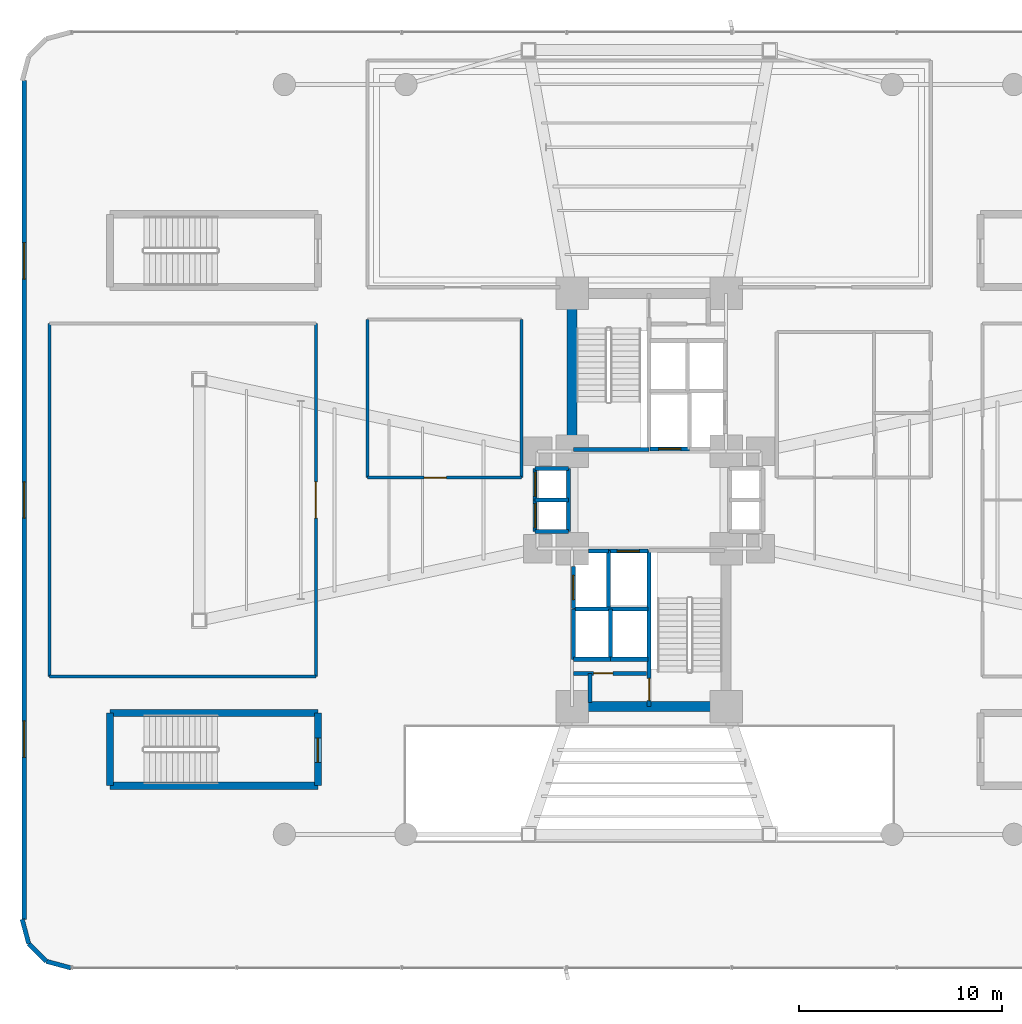
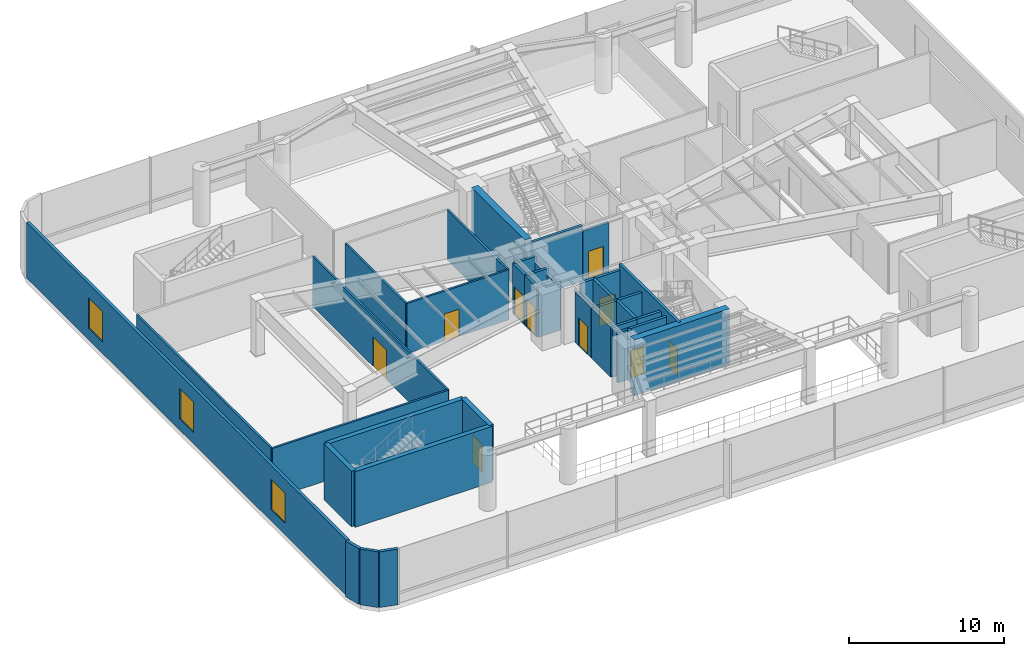
# One storey, part 15 of 22: 36 walls, 10 doors, 3 windows, 13 openings.
"""IFC4 building model written with IfcOpenShell, lengths in metres."""

from ifc_helpers import new_model, si_unit, direction, frame, frame_2d, origin, origin_2d, place, context, subcontext, project, spatial, rectangle, extrude, source, transform, mapped, material, layer, layer_set, type_object, element, fill, save


model = new_model("IFC4")

# Units and contexts
model_context = context("Model", 3, precision=1e-05, world=origin(), true_north=direction((0.0, 1.0)))
body_context = subcontext(model_context, "Body", "Model", "MODEL_VIEW")
ifc_project = project(units=[si_unit("LENGTHUNIT", "METRE"), si_unit("AREAUNIT", "SQUARE_METRE"), si_unit("VOLUMEUNIT", "CUBIC_METRE"), si_unit("PLANEANGLEUNIT", "RADIAN"), si_unit("MASSUNIT", "GRAM", prefix="KILO")], contexts=[model_context])

# Site, building, storey
site_placement = place(None, origin())
site = spatial("IfcSite", under=ifc_project, at=site_placement, CompositionType="ELEMENT")
building_placement = place(site_placement, origin())
building = spatial("IfcBuilding", under=site, at=building_placement, Name="Sahyath Konkavel Grand Hotel", CompositionType="ELEMENT")
storey_placement = place(building_placement, frame((0.0, 0.0, 9.300048828125)))
storey = spatial("IfcBuildingStorey", under=building, at=storey_placement, Name="L02", CompositionType="ELEMENT", Elevation=9.300048828125)

# Walls
ifc_material_1 = material(Name="Concrete C40/50", Category="concrete")
ifc_layer_1 = layer(ifc_material_1, 0.35009765625)
ifc_layer_set_1 = layer_set([ifc_layer_1], Name="Concrete C40/50")
wall_type_1 = type_object("IfcWallType", Name="CWALL-350", PredefinedType="SHEAR", material=ifc_layer_set_1)
for number, where, z_axis, x_axis, name in (
    (1, (-26.60009765625, -10.52001953125, 0.0), (0.0, 0.0, 1.0), (1.0, 0.0, 0.0), "L02 Partition ST-P3-N"),
    (2, (-26.60009765625, -14.10009765625, 0.0), (0.0, 0.0, 1.0), (1.0, 0.0, 0.0), "L02 Partition ST-P3-S"),
):
    element("IfcWall", number, at=place(storey_placement, frame(where, z_axis=z_axis, x_axis=x_axis)), inside=storey, type_object=wall_type_1, Name=name, PredefinedType="SHEAR", context=body_context, shape_type="SweptSolid", body=[
        extrude(rectangle(XDim=10.25, YDim=0.35009765625, at=frame_2d((5.125, 0.0))), origin(), (0.0, 0.0, 1.0), 4.39990234375),
    ])
wall_1_placement = place(storey_placement, frame((-26.60009765625, -14.10009765625, 0.0), z_axis=(0.0, 0.0, 1.0), x_axis=(0.0, 1.0, 0.0)))
element("IfcWall", 3, at=wall_1_placement, inside=storey, type_object=wall_type_1, Name="L02 Partition ST-P3-W", PredefinedType="SHEAR", context=body_context, shape_type="SweptSolid", body=[
    extrude(rectangle(XDim=3.580078125, YDim=0.35009765625, at=frame_2d((1.7900390625, 0.0))), origin(), (0.0, 0.0, 1.0), 4.39990234375),
])

# Wall, opening, door
wall_2_placement = place(storey_placement, frame((-16.35009765625, -14.10009765625, 0.0), z_axis=(0.0, 0.0, 1.0), x_axis=(0.0, 1.0, 0.0)))
wall_2 = element("IfcWall", 4, at=wall_2_placement, inside=storey, type_object=wall_type_1, Name="L02 Partition ST-P3-E", PredefinedType="SHEAR", context=body_context, shape_type="SweptSolid", body=[
    extrude(rectangle(XDim=3.580078125, YDim=0.35009765625, at=frame_2d((1.7900390625, 0.0))), origin(), (0.0, 0.0, 1.0), 4.39990234375),
])
opening_1_placement = place(wall_2_placement, frame((1.14990234375, 0.0, 0.0)))
opening_1 = element("IfcOpeningElement", 5, at=opening_1_placement, cuts=wall_2, Name="Opening D-F12A", PredefinedType="OPENING", context=body_context, shape_type="SweptSolid", body=[
    extrude(rectangle(XDim=1.199951171875, YDim=2.199951171875, at=frame_2d((0.60009765625, 1.10009765625))), frame((0.0, 0.18505859375, 0.0), z_axis=(0.0, -1.0, 0.0), x_axis=(1.0, 0.0, 0.0)), (0.0, 0.0, 1.0), 0.3701171875),
])
ifc_material_2 = material(Name="Steel E350 Fire Door", Category="steel")
door_type_1 = type_object("IfcDoorType", Name="DR-FD120-1200", OperationType="NOTDEFINED", PredefinedType="DOOR", material=ifc_material_2)
shared_shape_1 = source(origin(), body_context, "Body", "SweptSolid", [
    extrude(rectangle(XDim=1.199951171875, YDim=0.050048828125, at=origin_2d()), origin(), (0.0, 0.0, 1.0), 2.199951171875),
])
door_1_placement = place(opening_1_placement, frame((0.60009765625, 0.0, 0.0)))
door_1 = element("IfcDoor", 6, at=door_1_placement, inside=storey, type_object=door_type_1, Name="L02 ST-P3 Fire Door", OperationType="SINGLE_SWING_RIGHT", OverallHeight=2.199951171875, OverallWidth=1.199951171875, PredefinedType="DOOR", context=body_context, shape_type="MappedRepresentation", body=[
    mapped(shared_shape_1, transform((0.0, 0.0, 0.0), scale=1.0)),
])
fill(opening_1, door_1)

# Walls
ifc_material_3 = material(Name="Concrete C70/85", Category="concrete")
ifc_layer_2 = layer(ifc_material_3, 0.5)
ifc_layer_set_2 = layer_set([ifc_layer_2], Name="Concrete C70/85")
wall_type_2 = type_object("IfcWallType", Name="CWALL-500", PredefinedType="SHEAR", material=ifc_layer_set_2)
wall_3_placement = place(storey_placement, frame((-3.800048828125, 2.85009765625, 0.0), z_axis=(0.0, 0.0, 1.0), x_axis=(0.0, 1.0, 0.0)))
element("IfcWall", 7, at=wall_3_placement, inside=storey, type_object=wall_type_2, Name="L02 North Core Shear Wall W", PredefinedType="SHEAR", context=body_context, shape_type="SweptSolid", body=[
    extrude(rectangle(XDim=6.89990234375, YDim=0.5, at=frame_2d((3.449951171875, 0.0))), origin(), (0.0, 0.0, 1.0), 4.39990234375),
])
wall_4_placement = place(storey_placement, frame((-3.550048828125, -10.199951171875, 0.0), z_axis=(0.0, 0.0, 1.0), x_axis=(1.0, 0.0, 0.0)))
element("IfcWall", 8, at=wall_4_placement, inside=storey, type_object=wall_type_2, Name="L02 South Core Shear Wall S", PredefinedType="SHEAR", context=body_context, shape_type="SweptSolid", body=[
    extrude(rectangle(XDim=7.10009765625, YDim=0.5, at=frame_2d((3.550048828125, 0.0))), origin(), (0.0, 0.0, 1.0), 4.39990234375),
])
ifc_material_4 = material(Name="Warm Buff Sandstone Insulated Concrete C40/50", Category="masonry")
ifc_layer_3 = layer(ifc_material_4, 0.219970703125)
ifc_layer_set_3 = layer_set([ifc_layer_3], Name="Warm Buff Sandstone Insulated Concrete C40/50")
wall_type_3 = type_object("IfcWallType", Name="WLL-BALC-THRESH", PredefinedType="STANDARD", material=ifc_layer_set_3)
wall_5_placement = place(storey_placement, frame((-30.94091796875, -20.69189453125, 0.0), z_axis=(0.0, 0.0, 1.0), x_axis=(0.25877537102, -0.965937527666, 0.0)))
element("IfcWall", 9, at=wall_5_placement, inside=storey, type_object=wall_type_3, Name="L02 Rounded Podium Corner Sandstone Pier 12", PredefinedType="STANDARD", context=body_context, shape_type="SweptSolid", body=[
    extrude(rectangle(XDim=1.242431640625, YDim=0.219970703125, at=frame_2d((0.62109375, 0.0))), origin(), (0.0, 0.0, 1.0), 4.39990234375),
])
for number, where, z_axis, x_axis, name in (
    (10, (-30.619384765625, -21.89208984375, 0.0), (0.0, 0.0, 1.0), (0.707106781187, -0.707106781187, 0.0), "L02 Rounded Podium Corner Sandstone Pier 13"),
    (11, (-29.740966796875, -22.7705078125, 0.0), (0.0, 0.0, 1.0), (0.965924366126, -0.258824494443, 0.0), "L02 Rounded Podium Corner Sandstone Pier 14"),
):
    element("IfcWall", number, at=place(storey_placement, frame(where, z_axis=z_axis, x_axis=x_axis)), inside=storey, type_object=wall_type_3, Name=name, PredefinedType="STANDARD", context=body_context, shape_type="SweptSolid", body=[
        extrude(rectangle(XDim=1.2421875, YDim=0.219970703125, at=frame_2d((0.62109375, 0.0))), origin(), (0.0, 0.0, 1.0), 4.39990234375),
    ])

# Wall, openings, windows
wall_6_placement = place(storey_placement, frame((-30.8310546875, 20.69189453125, 0.0), z_axis=(0.0, 0.0, 1.0), x_axis=(0.0, -1.0, 0.0)))
wall_6 = element("IfcWall", 12, at=wall_6_placement, inside=storey, type_object=wall_type_3, Name="L02 Sandstone Podium Facade Wall W", PredefinedType="STANDARD", context=body_context, shape_type="SweptSolid", body=[
    extrude(rectangle(XDim=41.3837890625, YDim=0.219970703125, at=frame_2d((20.69189453125, 0.0))), origin(), (0.0, 0.0, 1.0), 4.39990234375),
])
opening_2_placement = place(wall_6_placement, frame((31.592041015625, 0.0, 0.89990234375)))
opening_2 = element("IfcOpeningElement", 13, at=opening_2_placement, cuts=wall_6, Name="Opening W-PD1", PredefinedType="OPENING", context=body_context, shape_type="SweptSolid", body=[
    extrude(rectangle(XDim=1.800048828125, YDim=2.39990234375, at=frame_2d((0.89990234375, 1.199951171875))), frame((0.0, 0.1201171875, 0.0), z_axis=(0.0, -1.0, 0.0), x_axis=(1.0, 0.0, 0.0)), (0.0, 0.0, 1.0), 0.239990234375),
])
opening_3_placement = place(wall_6_placement, frame((19.7919921875, 0.0, 0.89990234375)))
opening_3 = element("IfcOpeningElement", 14, at=opening_3_placement, cuts=wall_6, Name="Opening W-PD1", PredefinedType="OPENING", context=body_context, shape_type="SweptSolid", body=[
    extrude(rectangle(XDim=1.800048828125, YDim=2.39990234375, at=frame_2d((0.89990234375, 1.199951171875))), frame((0.0, 0.1201171875, 0.0), z_axis=(0.0, -1.0, 0.0), x_axis=(1.0, 0.0, 0.0)), (0.0, 0.0, 1.0), 0.239990234375),
])
opening_4_placement = place(wall_6_placement, frame((7.991943359375, 0.0, 0.89990234375)))
opening_4 = element("IfcOpeningElement", 15, at=opening_4_placement, cuts=wall_6, Name="Opening W-PD1", PredefinedType="OPENING", context=body_context, shape_type="SweptSolid", body=[
    extrude(rectangle(XDim=1.800048828125, YDim=2.39990234375, at=frame_2d((0.89990234375, 1.199951171875))), frame((0.0, 0.1201171875, 0.0), z_axis=(0.0, -1.0, 0.0), x_axis=(1.0, 0.0, 0.0)), (0.0, 0.0, 1.0), 0.239990234375),
])
ifc_material_5 = material(Name="Anodised Bronze Aluminium & Low-E Glazing", Category="aluminium")
window_type = type_object("IfcWindowType", Name="WIN-POD-1800", PartitioningType="SINGLE_PANEL", PredefinedType="WINDOW", material=ifc_material_5)
shared_shape_2 = source(origin(), body_context, "Body", "SweptSolid", [
    extrude(rectangle(XDim=1.800048828125, YDim=0.06005859375, at=origin_2d()), origin(), (0.0, 0.0, 1.0), 2.39990234375),
])
window_1_placement = place(opening_2_placement, frame((0.89990234375, 0.0, 0.0)))
window_1 = element("IfcWindow", 16, at=window_1_placement, inside=storey, type_object=window_type, Name="L02 Podium Window W-1", OverallHeight=2.39990234375, OverallWidth=1.800048828125, PartitioningType="SINGLE_PANEL", PredefinedType="WINDOW", context=body_context, shape_type="MappedRepresentation", body=[
    mapped(shared_shape_2, transform((0.0, 0.0, 0.0), scale=1.0)),
])
fill(opening_2, window_1)
window_2_placement = place(opening_3_placement, frame((0.89990234375, 0.0, 0.0)))
window_2 = element("IfcWindow", 17, at=window_2_placement, inside=storey, type_object=window_type, Name="L02 Podium Window W-2", OverallHeight=2.39990234375, OverallWidth=1.800048828125, PartitioningType="SINGLE_PANEL", PredefinedType="WINDOW", context=body_context, shape_type="MappedRepresentation", body=[
    mapped(shared_shape_2, transform((0.0, 0.0, 0.0), scale=1.0)),
])
fill(opening_3, window_2)
window_3_placement = place(opening_4_placement, frame((0.89990234375, 0.0, 0.0)))
window_3 = element("IfcWindow", 18, at=window_3_placement, inside=storey, type_object=window_type, Name="L02 Podium Window W-3", OverallHeight=2.39990234375, OverallWidth=1.800048828125, PartitioningType="SINGLE_PANEL", PredefinedType="WINDOW", context=body_context, shape_type="MappedRepresentation", body=[
    mapped(shared_shape_2, transform((0.0, 0.0, 0.0), scale=1.0)),
])
fill(opening_4, window_3)

# Wall
ifc_layer_4 = layer(ifc_material_1, 0.199951171875)
ifc_layer_set_4 = layer_set([ifc_layer_4], Name="Concrete C40/50")
wall_type_4 = type_object("IfcWallType", Name="WLL-CORE-200", PredefinedType="SOLIDWALL", material=ifc_layer_set_4)
wall_7_placement = place(storey_placement, frame((-3.719970703125, 2.5, 0.0), z_axis=(0.0, 0.0, 1.0), x_axis=(1.0, 0.0, 0.0)))
element("IfcWall", 19, at=wall_7_placement, inside=storey, type_object=wall_type_4, Name="L02 Stair ST-1 Shaft Wall S", PredefinedType="SOLIDWALL", context=body_context, shape_type="SweptSolid", body=[
    extrude(rectangle(XDim=3.719970703125, YDim=0.199951171875, at=frame_2d((1.85986328125, 0.0))), origin(), (0.0, 0.0, 1.0), 4.39990234375),
])

# Wall, opening, door
wall_8_placement = place(storey_placement, frame((0.0, -10.179931640625, 0.0), z_axis=(0.0, 0.0, 1.0), x_axis=(0.0, 1.0, 0.0)))
wall_8 = element("IfcWall", 20, at=wall_8_placement, inside=storey, type_object=wall_type_4, Name="L02 Stair ST-2 Shaft Wall W", PredefinedType="SOLIDWALL", context=body_context, shape_type="SweptSolid", body=[
    extrude(rectangle(XDim=7.679931640625, YDim=0.199951171875, at=frame_2d((3.83984375, 0.0))), origin(), (0.0, 0.0, 1.0), 4.39990234375),
])
opening_5_placement = place(wall_8_placement, frame((0.280029296875, 0.0, 0.0)))
opening_5 = element("IfcOpeningElement", 21, at=opening_5_placement, cuts=wall_8, Name="Opening D-F12B", PredefinedType="OPENING", context=body_context, shape_type="SweptSolid", body=[
    extrude(rectangle(XDim=1.10009765625, YDim=2.14990234375, at=frame_2d((0.550048828125, 1.074951171875))), frame((0.0, 0.10986328125, 0.0), z_axis=(0.0, -1.0, 0.0), x_axis=(1.0, 0.0, 0.0)), (0.0, 0.0, 1.0), 0.219970703125),
])
ifc_material_6 = material(Name="Steel E350 Smokeproof Fire Door", Category="steel")
door_type_2 = type_object("IfcDoorType", Name="DR-FD120-1100", OperationType="NOTDEFINED", PredefinedType="DOOR", material=ifc_material_6)
shared_shape_3 = source(origin(), body_context, "Body", "SweptSolid", [
    extrude(rectangle(XDim=1.10009765625, YDim=0.050048828125, at=origin_2d()), origin(), (0.0, 0.0, 1.0), 2.14990234375),
])
door_2_placement = place(opening_5_placement, frame((0.550048828125, 0.0, 0.0)))
door_2 = element("IfcDoor", 22, at=door_2_placement, inside=storey, type_object=door_type_2, Name="L02 Stair ST-2 Fire Door", OperationType="SINGLE_SWING_RIGHT", OverallHeight=2.14990234375, OverallWidth=1.10009765625, PredefinedType="DOOR", context=body_context, shape_type="MappedRepresentation", body=[
    mapped(shared_shape_3, transform((0.0, 0.0, 0.0), scale=1.0)),
])
fill(opening_5, door_2)

wall_9_placement = place(storey_placement, frame((0.050048828125, 2.52001953125, 0.0), z_axis=(0.0, 0.0, 1.0), x_axis=(1.0, 0.0, 0.0)))
wall_9 = element("IfcWall", 23, at=wall_9_placement, inside=storey, type_object=wall_type_4, Name="L02 Partition SH-FFL1-S", PredefinedType="SOLIDWALL", context=body_context, shape_type="SweptSolid", body=[
    extrude(rectangle(XDim=1.949951171875, YDim=0.199951171875, at=frame_2d((0.97509765625, 0.0))), origin(), (0.0, 0.0, 1.0), 3.949951171875),
])
opening_6_placement = place(wall_9_placement, frame((0.419921875, 0.0, 0.0)))
opening_6 = element("IfcOpeningElement", 24, at=opening_6_placement, cuts=wall_9, Name="Opening LD-11", PredefinedType="OPENING", context=body_context, shape_type="SweptSolid", body=[
    extrude(rectangle(XDim=1.10009765625, YDim=2.199951171875, at=frame_2d((0.550048828125, 1.10009765625))), frame((0.0, 0.10986328125, 0.0), z_axis=(0.0, -1.0, 0.0), x_axis=(1.0, 0.0, 0.0)), (0.0, 0.0, 1.0), 0.219970703125),
])
ifc_material_7 = material(Name="Bronze Lift Landing Door 1100")
door_type_3 = type_object("IfcDoorType", Name="DR-LIFT-1100", OperationType="DOUBLE_DOOR_SLIDING", PredefinedType="DOOR", material=ifc_material_7)
shared_shape_4 = source(origin(), body_context, "Body", "SweptSolid", [
    extrude(rectangle(XDim=1.10009765625, YDim=0.050048828125, at=origin_2d()), origin(), (0.0, 0.0, 1.0), 2.199951171875),
])
door_3_placement = place(opening_6_placement, frame((0.550048828125, 0.0, 0.0)))
door_3 = element("IfcDoor", 25, at=door_3_placement, inside=storey, type_object=door_type_3, Name="L02 Lift FFL-1 Landing Door", OperationType="DOUBLE_DOOR_SLIDING", OverallHeight=2.199951171875, OverallWidth=1.10009765625, PredefinedType="DOOR", context=body_context, shape_type="MappedRepresentation", body=[
    mapped(shared_shape_4, transform((0.0, 0.0, 0.0), scale=1.0)),
])
fill(opening_6, door_3)

# Wall
wall_10_placement = place(storey_placement, frame((-2.0, -5.280029296875, 0.0), z_axis=(0.0, 0.0, 1.0), x_axis=(0.0, 1.0, 0.0)))
element("IfcWall", 26, at=wall_10_placement, inside=storey, type_object=wall_type_4, Name="L02 Partition SH-FFL2-W", PredefinedType="SOLIDWALL", context=body_context, shape_type="SweptSolid", body=[
    extrude(rectangle(XDim=2.780029296875, YDim=0.199951171875, at=frame_2d((1.39013671875, 0.0))), origin(), (0.0, 0.0, 1.0), 3.949951171875),
])

# Wall, opening, door
wall_11_placement = place(storey_placement, frame((-2.0, -2.52001953125, 0.0), z_axis=(0.0, 0.0, 1.0), x_axis=(1.0, 0.0, 0.0)))
wall_11 = element("IfcWall", 27, at=wall_11_placement, inside=storey, type_object=wall_type_4, Name="L02 Partition SH-FFL2-N", PredefinedType="SOLIDWALL", context=body_context, shape_type="SweptSolid", body=[
    extrude(rectangle(XDim=1.949951171875, YDim=0.199951171875, at=frame_2d((0.97509765625, 0.0))), origin(), (0.0, 0.0, 1.0), 3.949951171875),
])
opening_7_placement = place(wall_11_placement, frame((0.419921875, 0.0, 0.0)))
opening_7 = element("IfcOpeningElement", 28, at=opening_7_placement, cuts=wall_11, Name="Opening LD-11", PredefinedType="OPENING", context=body_context, shape_type="SweptSolid", body=[
    extrude(rectangle(XDim=1.10009765625, YDim=2.199951171875, at=frame_2d((0.550048828125, 1.10009765625))), frame((0.0, 0.10986328125, 0.0), z_axis=(0.0, -1.0, 0.0), x_axis=(1.0, 0.0, 0.0)), (0.0, 0.0, 1.0), 0.219970703125),
])
door_4_placement = place(opening_7_placement, frame((0.550048828125, 0.0, 0.0)))
door_4 = element("IfcDoor", 29, at=door_4_placement, inside=storey, type_object=door_type_3, Name="L02 Lift FFL-2 Landing Door", OperationType="DOUBLE_DOOR_SLIDING", OverallHeight=2.199951171875, OverallWidth=1.10009765625, PredefinedType="DOOR", context=body_context, shape_type="MappedRepresentation", body=[
    mapped(shared_shape_4, transform((0.0, 0.0, 0.0), scale=1.0)),
])
fill(opening_7, door_4)

# Wall
wall_12_placement = place(storey_placement, frame((-3.0, -2.52001953125, 0.0), z_axis=(0.0, 0.0, 1.0), x_axis=(1.0, 0.0, 0.0)))
element("IfcWall", 30, at=wall_12_placement, inside=storey, type_object=wall_type_4, Name="L02 Partition SH-SVL2-N", PredefinedType="SOLIDWALL", context=body_context, shape_type="SweptSolid", body=[
    extrude(rectangle(XDim=1.0, YDim=0.199951171875, at=frame_2d((0.5, 0.0))), origin(), (0.0, 0.0, 1.0), 3.949951171875),
])

# Wall, opening, door
wall_13_placement = place(storey_placement, frame((-3.739990234375, -5.360107421875, 0.0), z_axis=(0.0, 0.0, 1.0), x_axis=(0.0, 1.0, 0.0)))
wall_13 = element("IfcWall", 31, at=wall_13_placement, inside=storey, type_object=wall_type_4, Name="L02 Partition SH-SVL2-W", PredefinedType="SOLIDWALL", context=body_context, shape_type="SweptSolid", body=[
    extrude(rectangle(XDim=2.080078125, YDim=0.199951171875, at=frame_2d((1.0400390625, 0.0))), origin(), (0.0, 0.0, 1.0), 3.949951171875),
])
opening_8_placement = place(wall_13_placement, frame((0.43994140625, 0.0, 0.0)))
opening_8 = element("IfcOpeningElement", 32, at=opening_8_placement, cuts=wall_13, Name="Opening LD-12", PredefinedType="OPENING", context=body_context, shape_type="SweptSolid", body=[
    extrude(rectangle(XDim=1.199951171875, YDim=2.199951171875, at=frame_2d((0.60009765625, 1.10009765625))), frame((0.0, 0.10986328125, 0.0), z_axis=(0.0, -1.0, 0.0), x_axis=(1.0, 0.0, 0.0)), (0.0, 0.0, 1.0), 0.219970703125),
])
ifc_material_8 = material(Name="Stainless Steel Lift Landing Door 1200", Category="steel")
door_type_4 = type_object("IfcDoorType", Name="DR-LIFT-1200", OperationType="DOUBLE_DOOR_SLIDING", PredefinedType="DOOR", material=ifc_material_8)
door_5_placement = place(opening_8_placement, frame((0.60009765625, 0.0, 0.0)))
door_5 = element("IfcDoor", 33, at=door_5_placement, inside=storey, type_object=door_type_4, Name="L02 Service Lift SVL-2 Landing Door", OperationType="DOUBLE_DOOR_SLIDING", OverallHeight=2.199951171875, OverallWidth=1.199951171875, PredefinedType="DOOR", context=body_context, shape_type="MappedRepresentation", body=[
    mapped(shared_shape_1, transform((0.0, 0.0, 0.0), scale=1.0)),
])
fill(opening_8, door_5)

# Walls
wall_14_placement = place(storey_placement, frame((-3.739990234375, -7.860107421875, 0.0), z_axis=(0.0, 0.0, 1.0), x_axis=(0.0, 1.0, 0.0)))
element("IfcWall", 34, at=wall_14_placement, inside=storey, type_object=wall_type_4, Name="L02 Partition SH-PL3-W", PredefinedType="SOLIDWALL", context=body_context, shape_type="SweptSolid", body=[
    extrude(rectangle(XDim=2.480224609375, YDim=0.199951171875, at=frame_2d((1.240234375, 0.0))), origin(), (0.0, 0.0, 1.0), 3.949951171875),
])
wall_15_placement = place(storey_placement, frame((-3.739990234375, -7.860107421875, 0.0), z_axis=(0.0, 0.0, 1.0), x_axis=(1.0, 0.0, 0.0)))
element("IfcWall", 35, at=wall_15_placement, inside=storey, type_object=wall_type_4, Name="L02 Partition SH-PL3-S", PredefinedType="SOLIDWALL", context=body_context, shape_type="SweptSolid", body=[
    extrude(rectangle(XDim=1.840087890625, YDim=0.199951171875, at=frame_2d((0.919921875, 0.0))), origin(), (0.0, 0.0, 1.0), 3.949951171875),
])
wall_16_placement = place(storey_placement, frame((-3.739990234375, -5.3798828125, 0.0), z_axis=(0.0, 0.0, 1.0), x_axis=(1.0, 0.0, 0.0)))
element("IfcWall", 36, at=wall_16_placement, inside=storey, type_object=wall_type_4, Name="L02 Partition SH-PL34-N", PredefinedType="SOLIDWALL", context=body_context, shape_type="SweptSolid", body=[
    extrude(rectangle(XDim=3.68994140625, YDim=0.199951171875, at=frame_2d((1.844970703125, 0.0))), origin(), (0.0, 0.0, 1.0), 3.949951171875),
])
wall_17_placement = place(storey_placement, frame((-1.89990234375, -7.860107421875, 0.0), z_axis=(0.0, 0.0, 1.0), x_axis=(0.0, 1.0, 0.0)))
element("IfcWall", 37, at=wall_17_placement, inside=storey, type_object=wall_type_4, Name="L02 Partition SH-PL34-M", PredefinedType="SOLIDWALL", context=body_context, shape_type="SweptSolid", body=[
    extrude(rectangle(XDim=2.480224609375, YDim=0.199951171875, at=frame_2d((1.240234375, 0.0))), origin(), (0.0, 0.0, 1.0), 3.949951171875),
])
wall_18_placement = place(storey_placement, frame((-1.89990234375, -7.860107421875, 0.0), z_axis=(0.0, 0.0, 1.0), x_axis=(1.0, 0.0, 0.0)))
element("IfcWall", 38, at=wall_18_placement, inside=storey, type_object=wall_type_4, Name="L02 Partition SH-PL4-S", PredefinedType="SOLIDWALL", context=body_context, shape_type="SweptSolid", body=[
    extrude(rectangle(XDim=1.849853515625, YDim=0.199951171875, at=frame_2d((0.9248046875, 0.0))), origin(), (0.0, 0.0, 1.0), 3.949951171875),
])
wall_19_placement = place(storey_placement, frame((-3.97998046875, -1.56005859375, 0.0), z_axis=(0.0, 0.0, 1.0), x_axis=(0.0, 1.0, 0.0)))
element("IfcWall", 39, at=wall_19_placement, inside=storey, type_object=wall_type_4, Name="L02 Partition SH-SL12-E", PredefinedType="SOLIDWALL", context=body_context, shape_type="SweptSolid", body=[
    extrude(rectangle(XDim=3.1201171875, YDim=0.199951171875, at=frame_2d((1.56005859375, 0.0))), origin(), (0.0, 0.0, 1.0), 3.469970703125),
])
for number, where, z_axis, x_axis, name in (
    (40, (-5.6201171875, 1.56005859375, 0.0), (0.0, 0.0, 1.0), (1.0, 0.0, 0.0), "L02 Partition SH-SL12-N"),
    (41, (-5.6201171875, -1.56005859375, 0.0), (0.0, 0.0, 1.0), (1.0, 0.0, 0.0), "L02 Partition SH-SL12-S"),
    (42, (-5.6201171875, 0.0, 0.0), (0.0, 0.0, 1.0), (1.0, 0.0, 0.0), "L02 Partition SH-SL12-M"),
):
    element("IfcWall", number, at=place(storey_placement, frame(where, z_axis=z_axis, x_axis=x_axis)), inside=storey, type_object=wall_type_4, Name=name, PredefinedType="SOLIDWALL", context=body_context, shape_type="SweptSolid", body=[
        extrude(rectangle(XDim=1.64013671875, YDim=0.199951171875, at=frame_2d((0.820068359375, 0.0))), origin(), (0.0, 0.0, 1.0), 3.949951171875),
    ])

# Wall, opening, door
wall_20_placement = place(storey_placement, frame((-5.6201171875, 0.0, 0.0), z_axis=(0.0, 0.0, 1.0), x_axis=(0.0, 1.0, 0.0)))
wall_20 = element("IfcWall", 43, at=wall_20_placement, inside=storey, type_object=wall_type_4, Name="L02 Partition SH-SL1-W", PredefinedType="SOLIDWALL", context=body_context, shape_type="SweptSolid", body=[
    extrude(rectangle(XDim=1.56005859375, YDim=0.199951171875, at=frame_2d((0.780029296875, 0.0))), origin(), (0.0, 0.0, 1.0), 3.949951171875),
])
opening_9_placement = place(wall_20_placement, frame((0.179931640625, 0.0, 0.0)))
opening_9 = element("IfcOpeningElement", 44, at=opening_9_placement, cuts=wall_20, Name="Opening LD-12", PredefinedType="OPENING", context=body_context, shape_type="SweptSolid", body=[
    extrude(rectangle(XDim=1.199951171875, YDim=2.199951171875, at=frame_2d((0.60009765625, 1.10009765625))), frame((0.0, 0.10986328125, 0.0), z_axis=(0.0, -1.0, 0.0), x_axis=(1.0, 0.0, 0.0)), (0.0, 0.0, 1.0), 0.219970703125),
])
door_6_placement = place(opening_9_placement, frame((0.60009765625, 0.0, 0.0)))
door_6 = element("IfcDoor", 45, at=door_6_placement, inside=storey, type_object=door_type_4, Name="L02 Express Shuttle SL-1 Landing Door", OperationType="DOUBLE_DOOR_SLIDING", OverallHeight=2.199951171875, OverallWidth=1.199951171875, PredefinedType="DOOR", context=body_context, shape_type="MappedRepresentation", body=[
    mapped(shared_shape_1, transform((0.0, 0.0, 0.0), scale=1.0)),
])
fill(opening_9, door_6)

wall_21_placement = place(storey_placement, frame((-5.6201171875, -1.56005859375, 0.0), z_axis=(0.0, 0.0, 1.0), x_axis=(0.0, 1.0, 0.0)))
wall_21 = element("IfcWall", 46, at=wall_21_placement, inside=storey, type_object=wall_type_4, Name="L02 Partition SH-SL2-W", PredefinedType="SOLIDWALL", context=body_context, shape_type="SweptSolid", body=[
    extrude(rectangle(XDim=1.56005859375, YDim=0.199951171875, at=frame_2d((0.780029296875, 0.0))), origin(), (0.0, 0.0, 1.0), 3.949951171875),
])
opening_10_placement = place(wall_21_placement, frame((0.179931640625, 0.0, 0.0)))
opening_10 = element("IfcOpeningElement", 47, at=opening_10_placement, cuts=wall_21, Name="Opening LD-12", PredefinedType="OPENING", context=body_context, shape_type="SweptSolid", body=[
    extrude(rectangle(XDim=1.199951171875, YDim=2.199951171875, at=frame_2d((0.60009765625, 1.10009765625))), frame((0.0, 0.10986328125, 0.0), z_axis=(0.0, -1.0, 0.0), x_axis=(1.0, 0.0, 0.0)), (0.0, 0.0, 1.0), 0.219970703125),
])
door_7_placement = place(opening_10_placement, frame((0.60009765625, 0.0, 0.0)))
door_7 = element("IfcDoor", 48, at=door_7_placement, inside=storey, type_object=door_type_4, Name="L02 Express Shuttle SL-2 Landing Door", OperationType="DOUBLE_DOOR_SLIDING", OverallHeight=2.199951171875, OverallWidth=1.199951171875, PredefinedType="DOOR", context=body_context, shape_type="MappedRepresentation", body=[
    mapped(shared_shape_1, transform((0.0, 0.0, 0.0), scale=1.0)),
])
fill(opening_10, door_7)

wall_22_placement = place(storey_placement, frame((-3.739990234375, -8.56005859375, 0.0), z_axis=(0.0, 0.0, 1.0), x_axis=(1.0, 0.0, 0.0)))
wall_22 = element("IfcWall", 49, at=wall_22_placement, inside=storey, type_object=wall_type_4, Name="L02 South FF Lobby Separation Wall", PredefinedType="SOLIDWALL", context=body_context, shape_type="SweptSolid", body=[
    extrude(rectangle(XDim=3.619873046875, YDim=0.199951171875, at=frame_2d((1.81005859375, 0.0))), origin(), (0.0, 0.0, 1.0), 3.949951171875),
])
opening_11_placement = place(wall_22_placement, frame((1.0, 0.0, 0.0)))
opening_11 = element("IfcOpeningElement", 50, at=opening_11_placement, cuts=wall_22, Name="Opening D-F12C", PredefinedType="OPENING", context=body_context, shape_type="SweptSolid", body=[
    extrude(rectangle(XDim=0.949951171875, YDim=2.14990234375, at=frame_2d((0.47509765625, 1.074951171875))), frame((0.0, 0.10986328125, 0.0), z_axis=(0.0, -1.0, 0.0), x_axis=(1.0, 0.0, 0.0)), (0.0, 0.0, 1.0), 0.219970703125),
])
ifc_material_9 = material(Name="Steel E350 Plant Fire Door", Category="steel")
door_type_5 = type_object("IfcDoorType", Name="DR-FD120-950", OperationType="NOTDEFINED", PredefinedType="DOOR", material=ifc_material_9)
shared_shape_5 = source(origin(), body_context, "Body", "SweptSolid", [
    extrude(rectangle(XDim=0.949951171875, YDim=0.050048828125, at=origin_2d()), origin(), (0.0, 0.0, 1.0), 2.14990234375),
])
door_8_placement = place(opening_11_placement, frame((0.47509765625, 0.0, 0.0)))
door_8 = element("IfcDoor", 51, at=door_8_placement, inside=storey, type_object=door_type_5, Name="L02 South Firefighting Lobby Door", OperationType="SINGLE_SWING_LEFT", OverallHeight=2.14990234375, OverallWidth=0.949951171875, PredefinedType="DOOR", context=body_context, shape_type="MappedRepresentation", body=[
    mapped(shared_shape_5, transform((0.0, 0.0, 0.0), scale=1.0)),
])
fill(opening_11, door_8)

# Wall
wall_23_placement = place(storey_placement, frame((-2.919921875, -10.0, 0.0), z_axis=(0.0, 0.0, 1.0), x_axis=(0.0, 1.0, 0.0)))
element("IfcWall", 52, at=wall_23_placement, inside=storey, type_object=wall_type_4, Name="L02 Partition SFF-W2", PredefinedType="SOLIDWALL", context=body_context, shape_type="SweptSolid", body=[
    extrude(rectangle(XDim=1.43994140625, YDim=0.199951171875, at=frame_2d((0.719970703125, 0.0))), origin(), (0.0, 0.0, 1.0), 3.949951171875),
])

# Wall, opening, door
ifc_material_10 = material(Name="Fire-Rated Gypsum Plasterboard Partition")
ifc_layer_5 = layer(ifc_material_10, 0.14990234375)
ifc_layer_set_5 = layer_set([ifc_layer_5], Name="Fire-Rated Gypsum Plasterboard Partition")
wall_type_5 = type_object("IfcWallType", Name="WLL-PART-150", PredefinedType="PARTITIONING", material=ifc_layer_set_5)
wall_24_placement = place(storey_placement, frame((-16.449951171875, -8.699951171875, 0.0), z_axis=(0.0, 0.0, 1.0), x_axis=(0.0, 1.0, 0.0)))
wall_24 = element("IfcWall", 53, at=wall_24_placement, inside=storey, type_object=wall_type_5, Name="L02 Partition L02-BQW-E", PredefinedType="PARTITIONING", context=body_context, shape_type="SweptSolid", body=[
    extrude(rectangle(XDim=17.39990234375, YDim=0.14990234375, at=frame_2d((8.699951171875, 0.0))), origin(), (0.0, 0.0, 1.0), 3.949951171875),
])
opening_12_placement = place(wall_24_placement, frame((7.800048828125, 0.0, 0.0)))
opening_12 = element("IfcOpeningElement", 54, at=opening_12_placement, cuts=wall_24, Name="Opening D-DB18", PredefinedType="OPENING", context=body_context, shape_type="SweptSolid", body=[
    extrude(rectangle(XDim=1.800048828125, YDim=2.35009765625, at=frame_2d((0.89990234375, 1.175048828125))), frame((0.0, 0.0849609375, 0.0), z_axis=(0.0, -1.0, 0.0), x_axis=(1.0, 0.0, 0.0)), (0.0, 0.0, 1.0), 0.169921875),
])
ifc_material_11 = material(Name="Double Leaf Ballroom Acoustic Door")
door_type_6 = type_object("IfcDoorType", Name="DR-DBL-1800", OperationType="DOUBLE_DOOR_SINGLE_SWING", PredefinedType="DOOR", material=ifc_material_11)
shared_shape_6 = source(origin(), body_context, "Body", "SweptSolid", [
    extrude(rectangle(XDim=1.800048828125, YDim=0.050048828125, at=origin_2d()), origin(), (0.0, 0.0, 1.0), 2.35009765625),
])
door_9_placement = place(opening_12_placement, frame((0.89990234375, 0.0, 0.0)))
door_9 = element("IfcDoor", 55, at=door_9_placement, inside=storey, type_object=door_type_6, Name="L02 Door L02-BQW-D", OperationType="DOUBLE_DOOR_SINGLE_SWING", OverallHeight=2.35009765625, OverallWidth=1.800048828125, PredefinedType="DOOR", context=body_context, shape_type="MappedRepresentation", body=[
    mapped(shared_shape_6, transform((0.0, 0.0, 0.0), scale=1.0)),
])
fill(opening_12, door_9)

# Walls
wall_25_placement = place(storey_placement, frame((-29.60009765625, -8.699951171875, 0.0), z_axis=(0.0, 0.0, 1.0), x_axis=(0.0, 1.0, 0.0)))
element("IfcWall", 56, at=wall_25_placement, inside=storey, type_object=wall_type_5, Name="L02 Partition L02-BQW-W", PredefinedType="PARTITIONING", context=body_context, shape_type="SweptSolid", body=[
    extrude(rectangle(XDim=17.39990234375, YDim=0.14990234375, at=frame_2d((8.699951171875, 0.0))), origin(), (0.0, 0.0, 1.0), 3.949951171875),
])
wall_26_placement = place(storey_placement, frame((-29.60009765625, -8.699951171875, 0.0), z_axis=(0.0, 0.0, 1.0), x_axis=(1.0, 0.0, 0.0)))
element("IfcWall", 57, at=wall_26_placement, inside=storey, type_object=wall_type_5, Name="L02 Partition L02-BQW-S", PredefinedType="PARTITIONING", context=body_context, shape_type="SweptSolid", body=[
    extrude(rectangle(XDim=13.150146484375, YDim=0.14990234375, at=frame_2d((6.5751953125, 0.0))), origin(), (0.0, 0.0, 1.0), 3.949951171875),
])

# Wall, opening, door
wall_27_placement = place(storey_placement, frame((-13.89990234375, 1.10009765625, 0.0), z_axis=(0.0, 0.0, 1.0), x_axis=(1.0, 0.0, 0.0)))
wall_27 = element("IfcWall", 58, at=wall_27_placement, inside=storey, type_object=wall_type_5, Name="L02 Partition L02-BK-S", PredefinedType="PARTITIONING", context=body_context, shape_type="SweptSolid", body=[
    extrude(rectangle(XDim=7.599853515625, YDim=0.14990234375, at=frame_2d((3.7998046875, 0.0))), origin(), (0.0, 0.0, 1.0), 3.949951171875),
])
opening_13_placement = place(wall_27_placement, frame((2.800048828125, 0.0, 0.0)))
opening_13 = element("IfcOpeningElement", 59, at=opening_13_placement, cuts=wall_27, Name="Opening D-F06A", PredefinedType="OPENING", context=body_context, shape_type="SweptSolid", body=[
    extrude(rectangle(XDim=1.10009765625, YDim=2.14990234375, at=frame_2d((0.550048828125, 1.074951171875))), frame((0.0, 0.0849609375, 0.0), z_axis=(0.0, -1.0, 0.0), x_axis=(1.0, 0.0, 0.0)), (0.0, 0.0, 1.0), 0.169921875),
])
ifc_material_12 = material(Name="Timber Fire-Rated Service Door", Category="wood")
door_type_7 = type_object("IfcDoorType", Name="DR-FD60-1100", OperationType="NOTDEFINED", PredefinedType="DOOR", material=ifc_material_12)
door_10_placement = place(opening_13_placement, frame((0.550048828125, 0.0, 0.0)))
door_10 = element("IfcDoor", 60, at=door_10_placement, inside=storey, type_object=door_type_7, Name="L02 Door L02-BK-D", OperationType="SINGLE_SWING_RIGHT", OverallHeight=2.14990234375, OverallWidth=1.10009765625, PredefinedType="DOOR", context=body_context, shape_type="MappedRepresentation", body=[
    mapped(shared_shape_3, transform((0.0, 0.0, 0.0), scale=1.0)),
])
fill(opening_13, door_10)

# Walls
for number, where, z_axis, x_axis, name in (
    (61, (-13.89990234375, 1.10009765625, 0.0), (0.0, 0.0, 1.0), (0.0, 1.0, 0.0), "L02 Partition L02-BK-W"),
    (62, (-6.300048828125, 1.10009765625, 0.0), (0.0, 0.0, 1.0), (0.0, 1.0, 0.0), "L02 Partition L02-BK-E"),
):
    element("IfcWall", number, at=place(storey_placement, frame(where, z_axis=z_axis, x_axis=x_axis)), inside=storey, type_object=wall_type_5, Name=name, PredefinedType="PARTITIONING", context=body_context, shape_type="SweptSolid", body=[
        extrude(rectangle(XDim=7.7998046875, YDim=0.14990234375, at=frame_2d((3.89990234375, 0.0))), origin(), (0.0, 0.0, 1.0), 3.949951171875),
    ])

save(model, "model.ifc")
